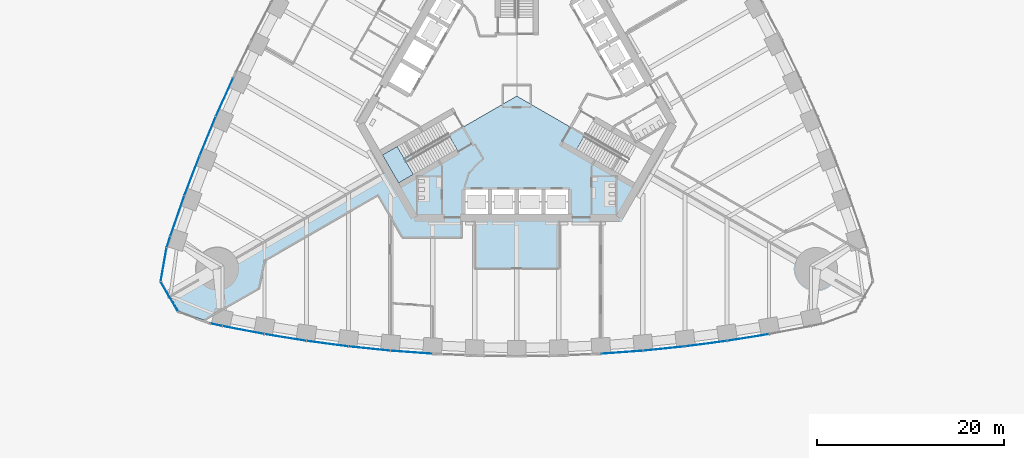
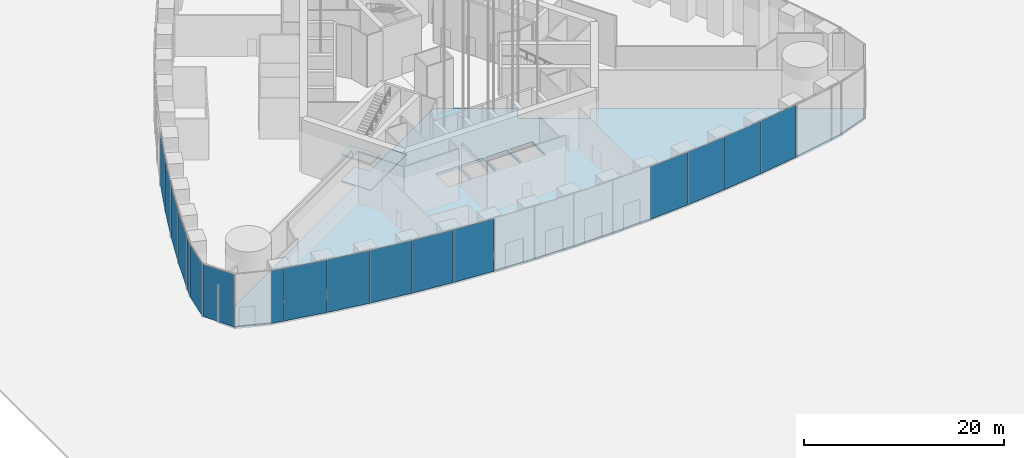
# One storey, part 13 of 43: 17 plates, 3 slabs, 5 elements without a shape of their own.
"""IFC4 building model written with IfcOpenShell, lengths in metres."""

from ifc_helpers import new_model, si_unit, direction, frame, origin, origin_2d, place, context, subcontext, project, spatial, polyline, rectangle, outline, extrude, material, layer, layer_set, type_object, element, aggregate, save


model = new_model("IFC4")

# Units and contexts
model_context = context("Model", 3, precision=1e-05, world=origin(), true_north=direction((0.0, 1.0)))
body_context = subcontext(model_context, "Body", "Model", "MODEL_VIEW")
ifc_project = project(units=[si_unit("LENGTHUNIT", "METRE"), si_unit("AREAUNIT", "SQUARE_METRE"), si_unit("VOLUMEUNIT", "CUBIC_METRE"), si_unit("PLANEANGLEUNIT", "RADIAN"), si_unit("MASSUNIT", "GRAM", prefix="KILO")], contexts=[model_context])

# Site, building, storey
site_placement = place(None, origin())
site = spatial("IfcSite", under=ifc_project, at=site_placement, CompositionType="ELEMENT")
building_placement = place(site_placement, origin())
building = spatial("IfcBuilding", under=site, at=building_placement, Name="Trefoil Bronze Tower", CompositionType="ELEMENT")
storey_placement = place(building_placement, origin())
storey = spatial("IfcBuildingStorey", under=building, at=storey_placement, Name="L00", CompositionType="ELEMENT", Elevation=0.0)

# Curtain wall, plates
ifc_material_1 = material(Name="Tinted solar-control glass", Category="glass")
curtain_wall_type_1 = type_object("IfcCurtainWallType", Name="Bronze podium storefront curtain wall", PredefinedType="USERDEFINED", material=ifc_material_1)
curtain_wall_1_placement = place(storey_placement, origin())
curtain_wall_1 = element("IfcCurtainWall", 1, at=curtain_wall_1_placement, inside=storey, type_object=curtain_wall_type_1, Name="CW-C L00 F1 run 1", ObjectType="CURTAIN WALL", PredefinedType="USERDEFINED")
ifc_material_2 = material(Name="Tinted solar-control glass", Category="glass")
ifc_layer_1 = layer(ifc_material_2, 0.030029296875)
ifc_layer_set_1 = layer_set([ifc_layer_1], Name="Bronze podium storefront curtain wall glass panel")
plate_type_1 = type_object("IfcPlateType", Name="Bronze podium storefront curtain wall glass panel", PredefinedType="CURTAIN_PANEL", material=ifc_layer_set_1)
plate_1_placement = place(storey_placement, frame((-32.15185546875, -24.480224609375, 0.0), z_axis=(0.0, 0.0, 1.0), x_axis=(0.978302717041, -0.207180582657, 0.0)))
plate_1 = element("IfcPlate", 2, at=plate_1_placement, type_object=plate_type_1, Name="CW-C L00 F1 run 1 panel 1", PredefinedType="CURTAIN_PANEL", context=body_context, shape_type="SweptSolid", body=[
    extrude(rectangle(XDim=1.23046875, YDim=0.030029296875, at=origin_2d()), origin(), (0.0, 0.0, 1.0), 6.3798828125),
])
plate_2_placement = place(storey_placement, frame((-29.268798828125, -25.04638671875, 0.0), z_axis=(0.0, 0.0, 1.0), x_axis=(0.982049823817, -0.188621694249, 0.0)))
plate_2 = element("IfcPlate", 3, at=plate_2_placement, type_object=plate_type_1, Name="CW-C L00 F1 run 1 panel 2", PredefinedType="CURTAIN_PANEL", context=body_context, shape_type="SweptSolid", body=[
    extrude(rectangle(XDim=4.522216796875, YDim=0.030029296875, at=origin_2d()), origin(), (0.0, 0.0, 1.0), 6.3798828125),
])
plate_3_placement = place(storey_placement, frame((-24.765869140625, -25.8427734375, 0.0), z_axis=(0.0, 0.0, 1.0), x_axis=(0.987181315145, -0.159602791421, 0.0)))
plate_3 = element("IfcPlate", 4, at=plate_3_placement, type_object=plate_type_1, Name="CW-C L00 F1 run 1 panel 3", PredefinedType="CURTAIN_PANEL", context=body_context, shape_type="SweptSolid", body=[
    extrude(rectangle(XDim=4.49853515625, YDim=0.030029296875, at=origin_2d()), origin(), (0.0, 0.0, 1.0), 6.3798828125),
])
plate_4_placement = place(storey_placement, frame((-20.262939453125, -26.50341796875, 0.0), z_axis=(0.0, 0.0, 1.0), x_axis=(0.991437251591, -0.130583981243, 0.0)))
plate_4 = element("IfcPlate", 5, at=plate_4_placement, type_object=plate_type_1, Name="CW-C L00 F1 run 1 panel 4", PredefinedType="CURTAIN_PANEL", context=body_context, shape_type="SweptSolid", body=[
    extrude(rectangle(XDim=4.478759765625, YDim=0.030029296875, at=origin_2d()), origin(), (0.0, 0.0, 1.0), 6.3798828125),
])
plate_5_placement = place(storey_placement, frame((-15.76025390625, -27.02978515625, 0.0), z_axis=(0.0, 0.0, 1.0), x_axis=(0.994828880293, -0.101565244717, 0.0)))
plate_5 = element("IfcPlate", 6, at=plate_5_placement, type_object=plate_type_1, Name="CW-C L00 F1 run 1 panel 5", PredefinedType="CURTAIN_PANEL", context=body_context, shape_type="SweptSolid", body=[
    extrude(rectangle(XDim=4.46337890625, YDim=0.030029296875, at=origin_2d()), origin(), (0.0, 0.0, 1.0), 6.3798828125),
])
plate_6_placement = place(storey_placement, frame((-11.25732421875, -27.42333984375, 0.0), z_axis=(0.0, 0.0, 1.0), x_axis=(0.99736502647, -0.072546564177, 0.0)))
plate_6 = element("IfcPlate", 7, at=plate_6_placement, type_object=plate_type_1, Name="CW-C L00 F1 run 1 panel 6", PredefinedType="CURTAIN_PANEL", context=body_context, shape_type="SweptSolid", body=[
    extrude(rectangle(XDim=4.451904296875, YDim=0.030029296875, at=origin_2d()), origin(), (0.0, 0.0, 1.0), 6.3798828125),
])
aggregate(curtain_wall_1, [plate_1, plate_2, plate_3, plate_4, plate_5, plate_6])

curtain_wall_2_placement = place(storey_placement, origin())
curtain_wall_2 = element("IfcCurtainWall", 8, at=curtain_wall_2_placement, inside=storey, type_object=curtain_wall_type_1, Name="CW-C L00 F1 run 6", ObjectType="CURTAIN WALL", PredefinedType="USERDEFINED")
plate_7_placement = place(storey_placement, frame((11.25732421875, -27.42333984375, 0.0), z_axis=(0.0, 0.0, 1.0), x_axis=(0.99736502647, 0.072546564177, 0.0)))
plate_7 = element("IfcPlate", 9, at=plate_7_placement, type_object=plate_type_1, Name="CW-C L00 F1 run 6 panel 1", PredefinedType="CURTAIN_PANEL", context=body_context, shape_type="SweptSolid", body=[
    extrude(rectangle(XDim=4.451904296875, YDim=0.030029296875, at=origin_2d()), origin(), (0.0, 0.0, 1.0), 6.3798828125),
])
plate_8_placement = place(storey_placement, frame((15.76025390625, -27.02978515625, 0.0), z_axis=(0.0, 0.0, 1.0), x_axis=(0.994828880293, 0.101565244717, 0.0)))
plate_8 = element("IfcPlate", 10, at=plate_8_placement, type_object=plate_type_1, Name="CW-C L00 F1 run 6 panel 2", PredefinedType="CURTAIN_PANEL", context=body_context, shape_type="SweptSolid", body=[
    extrude(rectangle(XDim=4.46337890625, YDim=0.030029296875, at=origin_2d()), origin(), (0.0, 0.0, 1.0), 6.3798828125),
])
plate_9_placement = place(storey_placement, frame((20.262939453125, -26.50341796875, 0.0), z_axis=(0.0, 0.0, 1.0), x_axis=(0.991437251591, 0.130583981243, 0.0)))
plate_9 = element("IfcPlate", 11, at=plate_9_placement, type_object=plate_type_1, Name="CW-C L00 F1 run 6 panel 3", PredefinedType="CURTAIN_PANEL", context=body_context, shape_type="SweptSolid", body=[
    extrude(rectangle(XDim=4.478759765625, YDim=0.030029296875, at=origin_2d()), origin(), (0.0, 0.0, 1.0), 6.3798828125),
])
plate_10_placement = place(storey_placement, frame((24.765869140625, -25.8427734375, 0.0), z_axis=(0.0, 0.0, 1.0), x_axis=(0.987181315145, 0.159602791421, 0.0)))
plate_10 = element("IfcPlate", 12, at=plate_10_placement, type_object=plate_type_1, Name="CW-C L00 F1 run 6 panel 4", PredefinedType="CURTAIN_PANEL", context=body_context, shape_type="SweptSolid", body=[
    extrude(rectangle(XDim=4.49853515625, YDim=0.030029296875, at=origin_2d()), origin(), (0.0, 0.0, 1.0), 6.3798828125),
])
aggregate(curtain_wall_2, [plate_7, plate_8, plate_9, plate_10])

curtain_wall_3_placement = place(storey_placement, origin())
curtain_wall_3 = element("IfcCurtainWall", 13, at=curtain_wall_3_placement, inside=storey, type_object=curtain_wall_type_1, Name="CW-C L00 F3 run 5", ObjectType="CURTAIN WALL", PredefinedType="USERDEFINED")
plate_11_placement = place(storey_placement, frame((-31.28857421875, -0.1337890625, 0.0), z_axis=(0.0, 0.0, 1.0), x_axis=(-0.40945635808, -0.912329705111, 0.0)))
plate_11 = element("IfcPlate", 14, at=plate_11_placement, type_object=plate_type_1, Name="CW-C L00 F3 run 5 panel 1", PredefinedType="CURTAIN_PANEL", context=body_context, shape_type="SweptSolid", body=[
    extrude(rectangle(XDim=4.46337890625, YDim=0.030029296875, at=origin_2d()), origin(), (0.0, 0.0, 1.0), 6.3798828125),
])
plate_12_placement = place(storey_placement, frame((-33.084228515625, -4.296630859375, 0.0), z_axis=(0.0, 0.0, 1.0), x_axis=(-0.382629580712, -0.923901836758, 0.0)))
plate_12 = element("IfcPlate", 15, at=plate_12_placement, type_object=plate_type_1, Name="CW-C L00 F3 run 5 panel 2", PredefinedType="CURTAIN_PANEL", context=body_context, shape_type="SweptSolid", body=[
    extrude(rectangle(XDim=4.478759765625, YDim=0.030029296875, at=origin_2d()), origin(), (0.0, 0.0, 1.0), 6.3798828125),
])
plate_13_placement = place(storey_placement, frame((-34.763427734375, -8.526611328125, 0.0), z_axis=(0.0, 0.0, 1.0), x_axis=(-0.355370585687, -0.934725492767, 0.0)))
plate_13 = element("IfcPlate", 16, at=plate_13_placement, type_object=plate_type_1, Name="CW-C L00 F3 run 5 panel 3", PredefinedType="CURTAIN_PANEL", context=body_context, shape_type="SweptSolid", body=[
    extrude(rectangle(XDim=4.49853515625, YDim=0.030029296875, at=origin_2d()), origin(), (0.0, 0.0, 1.0), 6.3798828125),
])
plate_14_placement = place(storey_placement, frame((-36.3251953125, -12.824462890625, 0.0), z_axis=(0.0, 0.0, 1.0), x_axis=(-0.327673732984, -0.944790942332, 0.0)))
plate_14 = element("IfcPlate", 17, at=plate_14_placement, type_object=plate_type_1, Name="CW-C L00 F3 run 5 panel 4", PredefinedType="CURTAIN_PANEL", context=body_context, shape_type="SweptSolid", body=[
    extrude(rectangle(XDim=4.522216796875, YDim=0.030029296875, at=origin_2d()), origin(), (0.0, 0.0, 1.0), 6.3798828125),
])
plate_15_placement = place(storey_placement, frame((-37.2763671875, -15.604248046875, 0.0), z_axis=(0.0, 0.0, 1.0), x_axis=(-0.309727710769, -0.950825296877, 0.0)))
plate_15 = element("IfcPlate", 18, at=plate_15_placement, type_object=plate_type_1, Name="CW-C L00 F3 run 5 panel 5", PredefinedType="CURTAIN_PANEL", context=body_context, shape_type="SweptSolid", body=[
    extrude(rectangle(XDim=1.23046875, YDim=0.030029296875, at=origin_2d()), origin(), (0.0, 0.0, 1.0), 6.3798828125),
])
aggregate(curtain_wall_3, [plate_11, plate_12, plate_13, plate_14, plate_15])

ifc_material_3 = material(Name="Tinted solar-control glass", Category="glass")
curtain_wall_type_2 = type_object("IfcCurtainWallType", Name="Bronze rounded corner curtain wall", PredefinedType="USERDEFINED", material=ifc_material_3)
curtain_wall_4_placement = place(storey_placement, origin())
curtain_wall_4 = element("IfcCurtainWall", 19, at=curtain_wall_4_placement, inside=storey, type_object=curtain_wall_type_2, Name="CW-B L00 K3 run 1", ObjectType="CURTAIN WALL", PredefinedType="USERDEFINED")
ifc_material_4 = material(Name="Tinted solar-control glass", Category="glass")
ifc_layer_2 = layer(ifc_material_4, 0.030029296875)
ifc_layer_set_2 = layer_set([ifc_layer_2], Name="Bronze rounded corner curtain wall glass panel")
plate_type_2 = type_object("IfcPlateType", Name="Bronze rounded corner curtain wall glass panel", PredefinedType="CURTAIN_PANEL", material=ifc_layer_set_2)
plate_16_placement = place(storey_placement, frame((-37.79638671875, -18.02783203125, 0.0), z_axis=(0.0, 0.0, 1.0), x_axis=(-0.173648177667, -0.984807753012, 0.0)))
plate_16 = element("IfcPlate", 20, at=plate_16_placement, type_object=plate_type_2, Name="CW-B L00 K3 run 1 panel 1", PredefinedType="CURTAIN_PANEL", context=body_context, shape_type="SweptSolid", body=[
    extrude(rectangle(XDim=3.588134765625, YDim=0.030029296875, at=origin_2d()), origin(), (0.0, 0.0, 1.0), 6.3798828125),
])
plate_17_placement = place(storey_placement, frame((-37.189208984375, -21.47119140625, 0.0), z_axis=(0.0, 0.0, 1.0), x_axis=(0.5, -0.866025403784, 0.0)))
plate_17 = element("IfcPlate", 21, at=plate_17_placement, type_object=plate_type_2, Name="CW-B L00 K3 run 1 panel 2", PredefinedType="CURTAIN_PANEL", context=body_context, shape_type="SweptSolid", body=[
    extrude(rectangle(XDim=3.588134765625, YDim=0.030029296875, at=origin_2d()), origin(), (0.0, 0.0, 1.0), 6.3798828125),
])
aggregate(curtain_wall_4, [plate_16, plate_17])

# Slabs
ifc_material_5 = material(Name="Concrete B30", Category="concrete")
ifc_layer_3 = layer(ifc_material_5, 0.300048828125)
ifc_layer_set_3 = layer_set([ifc_layer_3], Name="Floor slab 300")
slab_type_1 = type_object("IfcSlabType", Name="Floor slab 300", PredefinedType="FLOOR", material=ifc_layer_set_3)
slab_1_placement = place(storey_placement, frame((0.0, 0.0, -0.300048828125)))
element("IfcSlab", 22, at=slab_1_placement, inside=storey, type_object=slab_type_1, Name="Floor slab L00 face 1", PredefinedType="FLOOR", context=body_context, shape_type="SweptSolid", body=[
    extrude(outline(polyline([(27.0, -25.38037109375), (22.5, -26.10791015625), (18.0, -26.70068359375), (13.5, -27.159912109375), (9.0, -27.4873046875), (4.5, -27.683349609375), (0.0, -27.748779296875), (-4.5, -27.683349609375), (-9.0, -27.4873046875), (-13.5, -27.159912109375), (-18.0, -26.70068359375), (-22.5, -26.10791015625), (-27.0, -25.38037109375), (-31.5, -24.51611328125), (-32.762451171875, -24.248779296875), (-36.190673828125, -23.0009765625), (-37.1025390625, -21.421142578125), (-13.510009765625, -7.800048828125), (-12.6474609375, -9.2939453125), (-6.412109375, -5.69384765625), (-7.274658203125, -4.199951171875), (0.0, 0.0), (7.274658203125, -4.199951171875), (6.412109375, -5.69384765625), (12.6474609375, -9.2939453125), (13.510009765625, -7.800048828125), (37.1025390625, -21.421142578125), (36.190673828125, -23.0009765625), (32.762451171875, -24.248779296875), (31.5, -24.51611328125), (27.0, -25.38037109375)]), holes=[polyline([(-5.574951171875, -10.02490234375), (-2.97509765625, -10.02490234375), (-2.97509765625, -12.60009765625), (-5.574951171875, -12.60009765625), (-5.574951171875, -10.02490234375)]), polyline([(-2.72509765625, -10.02490234375), (-0.125, -10.02490234375), (-0.125, -12.60009765625), (-2.72509765625, -12.60009765625), (-2.72509765625, -10.02490234375)]), polyline([(0.125, -10.02490234375), (2.72509765625, -10.02490234375), (2.72509765625, -12.60009765625), (0.125, -12.60009765625), (0.125, -10.02490234375)]), polyline([(2.97509765625, -10.02490234375), (5.574951171875, -10.02490234375), (5.574951171875, -12.60009765625), (2.97509765625, -12.60009765625), (2.97509765625, -10.02490234375)])]), origin(), (0.0, 0.0, 1.0), 0.300048828125),
])
ifc_material_6 = material(Name="Concrete B30", Category="concrete")
ifc_layer_4 = layer(ifc_material_6, 0.199951171875)
ifc_layer_set_4 = layer_set([ifc_layer_4], Name="Stair landing 200")
slab_type_2 = type_object("IfcSlabType", Name="Stair landing 200", PredefinedType="LANDING", material=ifc_layer_set_4)
slab_2_placement = place(storey_placement, frame((0.0, 0.0, -0.199951171875)))
element("IfcSlab", 23, at=slab_2_placement, inside=storey, type_object=slab_type_2, Name="Basement stair cover slab ST3", PredefinedType="LANDING", context=body_context, shape_type="SweptSolid", body=[
    extrude(outline(polyline([(-7.31201171875, -4.135009765625), (-11.079345703125, -6.31005859375), (-11.904296875, -4.881103515625), (-14.37255859375, -6.30615234375), (-12.6474609375, -9.2939453125), (-6.412109375, -5.69384765625), (-7.31201171875, -4.135009765625)])), origin(), (0.0, 0.0, 1.0), 0.199951171875),
])

# Stair, slab
ifc_material_7 = material(Name="Precast concrete B80", Category="concrete")
stair_type = type_object("IfcStairType", Name="Exit stair 38 risers", PredefinedType="HALF_TURN_STAIR", material=ifc_material_7)
stair_placement = place(storey_placement, origin())
stair = element("IfcStair", 24, at=stair_placement, inside=storey, type_object=stair_type, Name="Stair ST3 L00", PredefinedType="HALF_TURN_STAIR")
slab_3_placement = place(storey_placement, frame((0.0, 0.0, 3.050048828125)))
slab_3 = element("IfcSlab", 25, at=slab_3_placement, type_object=slab_type_2, Name="ST3 landing 1", PredefinedType="LANDING", context=body_context, shape_type="SweptSolid", body=[
    extrude(outline(polyline([(-12.79638671875, -5.39599609375), (-14.37255859375, -6.30615234375), (-12.6474609375, -9.2939453125), (-11.0712890625, -8.3837890625), (-12.79638671875, -5.39599609375)])), origin(), (0.0, 0.0, 1.0), 0.199951171875),
])
aggregate(stair, [slab_3])

save(model, "model.ifc")
